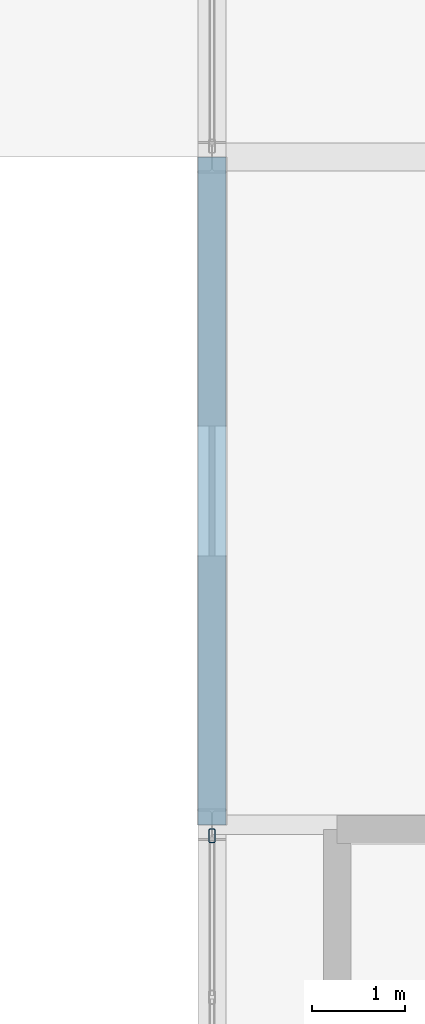
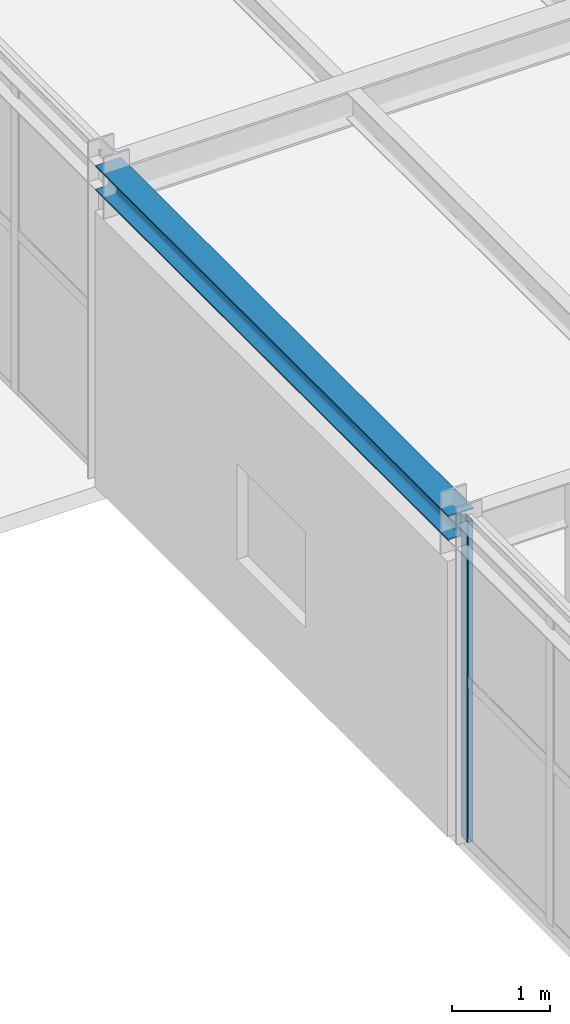
# One storey, part 42 of 73: 1 beam, 1 member, 1 element without a shape of its own.
"""IFC4 building model written with IfcOpenShell, lengths in metres."""

from ifc_helpers import new_model, si_unit, derived_unit, direction, frame, origin, origin_2d, place, context, subcontext, project, spatial, hollow_rectangle, i_section, extrude, material, material_profile, profile_set, type_object, element, aggregate, save


model = new_model("IFC4")

# Units and contexts
model_context = context("Model", 3, precision=1e-05, world=origin(), true_north=direction((0.0, 1.0)))
body_context = subcontext(model_context, "Body", "Model", "MODEL_VIEW")
ifc_project = project(units=[si_unit("LENGTHUNIT", "METRE"), si_unit("AREAUNIT", "SQUARE_METRE"), si_unit("VOLUMEUNIT", "CUBIC_METRE"), si_unit("PLANEANGLEUNIT", "RADIAN"), si_unit("MASSUNIT", "GRAM", prefix="KILO"), derived_unit("THERMALTRANSMITTANCEUNIT", [(si_unit("MASSUNIT", "GRAM", prefix="KILO"), 1), (si_unit("TIMEUNIT", "SECOND"), -3), (si_unit("THERMODYNAMICTEMPERATUREUNIT", "KELVIN"), -1)])], contexts=[model_context])

# Site, building, storey
site_placement = place(None, origin())
site = spatial("IfcSite", under=ifc_project, at=site_placement, CompositionType="ELEMENT")
building_placement = place(site_placement, origin())
building = spatial("IfcBuilding", under=site, at=building_placement, Name="Kharveza Railside Sports Centre", CompositionType="ELEMENT")
storey_placement = place(building_placement, frame((0.0, 0.0, 8.699951171875)))
storey = spatial("IfcBuildingStorey", under=building, at=storey_placement, Name="L02", CompositionType="ELEMENT", Elevation=8.699951171875)

# Beam
ifc_material_1 = material(Name="Steel S355J2", Category="steel")
ifc_material_profile_1 = material_profile(ifc_material_1, i_section(OverallWidth=0.300048828125, OverallDepth=0.31005859375, WebThickness=0.009033203125, FlangeThickness=0.015380859375, FilletRadius=0.027099609375, at=origin_2d()), Name="HEA 320")
ifc_profile_set_1 = profile_set([ifc_material_profile_1], Name="Steel S355J2")
beam_type = type_object("IfcBeamType", Name="BM-S06", PredefinedType="BEAM", material=ifc_profile_set_1)
beam_placement = place(storey_placement, frame((142.800048828125, 64.800048828125, 3.844970703125), z_axis=(0.0, 1.0, 0.0), x_axis=(-1.0, 0.0, 0.0)))
element("IfcBeam", 1, at=beam_placement, inside=storey, type_object=beam_type, Name="BM-NS-L02-B14-X1428-Y648", PredefinedType="BEAM", context=body_context, shape_type="SweptSolid", body=[
    extrude(i_section(OverallWidth=0.300048828125, OverallDepth=0.31005859375, WebThickness=0.009033203125, FlangeThickness=0.015380859375, FilletRadius=0.027099609375, at=origin_2d()), origin(), (0.0, 0.0, 1.0), 7.199951171875),
])

# Curtain wall, member
ifc_material_2 = material(Name="Low-E solar-control laminated glass", Category="glass")
curtain_wall_type = type_object("IfcCurtainWallType", Name="CW-WG02", PredefinedType="NOTDEFINED", material=ifc_material_2)
curtain_wall_placement = place(storey_placement, origin())
curtain_wall = element("IfcCurtainWall", 2, at=curtain_wall_placement, inside=storey, type_object=curtain_wall_type, Name="CW-WG-L02-CW-WG02-X1428-Y612", PredefinedType="NOTDEFINED")
ifc_material_3 = material(Name="Anodised aluminium 6063-T6", Category="aluminium")
ifc_material_profile_2 = material_profile(ifc_material_3, hollow_rectangle(XDim=0.06494140625, YDim=0.14990234375, WallThickness=0.0048828125, InnerFilletRadius=0.0048828125, OuterFilletRadius=0.010009765625, at=origin_2d()), Name="RHS 65x150x5.0")
ifc_profile_set_2 = profile_set([ifc_material_profile_2], Name="Anodised aluminium 6063-T6")
member_type = type_object("IfcMemberType", Name="CW-ML04", PredefinedType="MULLION", material=ifc_profile_set_2)
member_placement = place(storey_placement, frame((142.800048828125, 64.679931640625, 0.0), z_axis=(0.0, 0.0, 1.0), x_axis=(1.0, 0.0, 0.0)))
member = element("IfcMember", 3, at=member_placement, type_object=member_type, Name="CW-WG-L02-CW-WG02-X1428-Y612-ML1", PredefinedType="MULLION", context=body_context, shape_type="SweptSolid", body=[
    extrude(hollow_rectangle(XDim=0.06494140625, YDim=0.14990234375, WallThickness=0.0048828125, InnerFilletRadius=0.0048828125, OuterFilletRadius=0.010009765625, at=origin_2d()), origin(), (0.0, 0.0, 1.0), 4.0),
])
aggregate(curtain_wall, [member])

save(model, "model.ifc")
